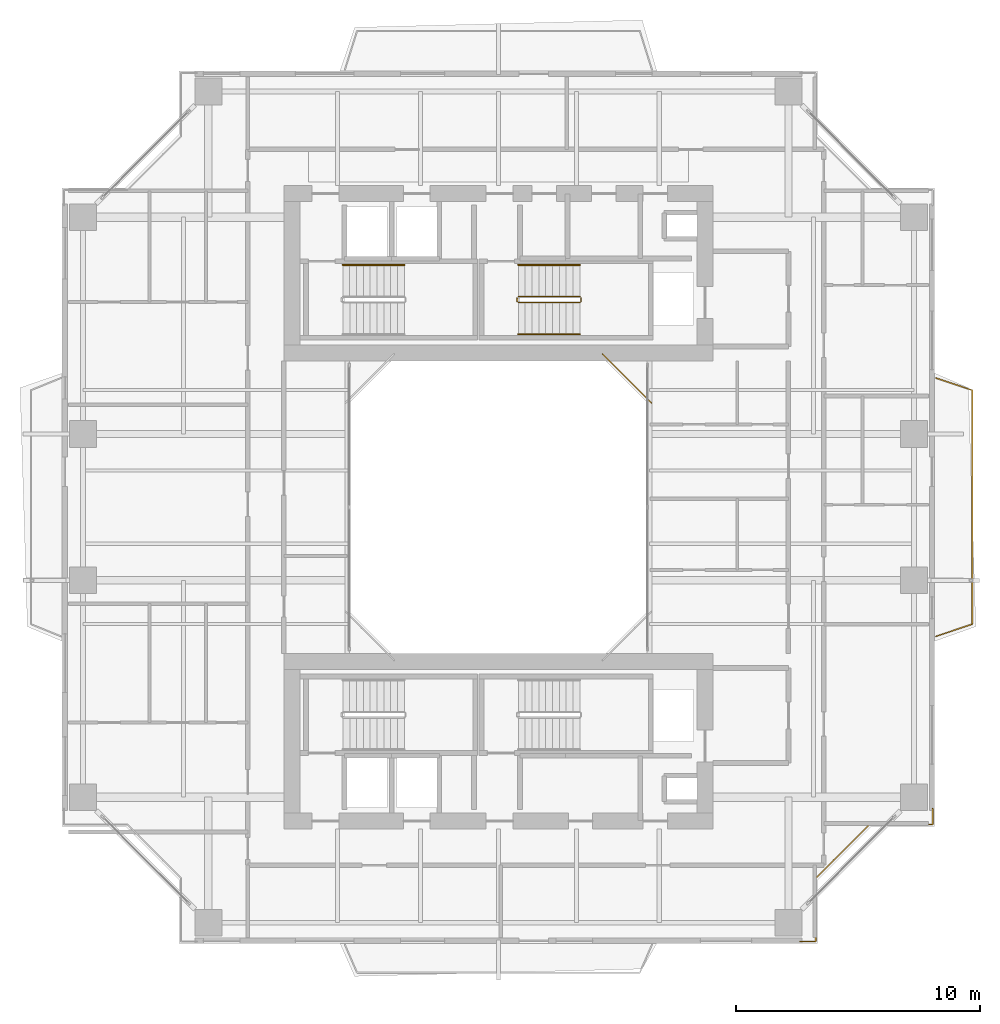
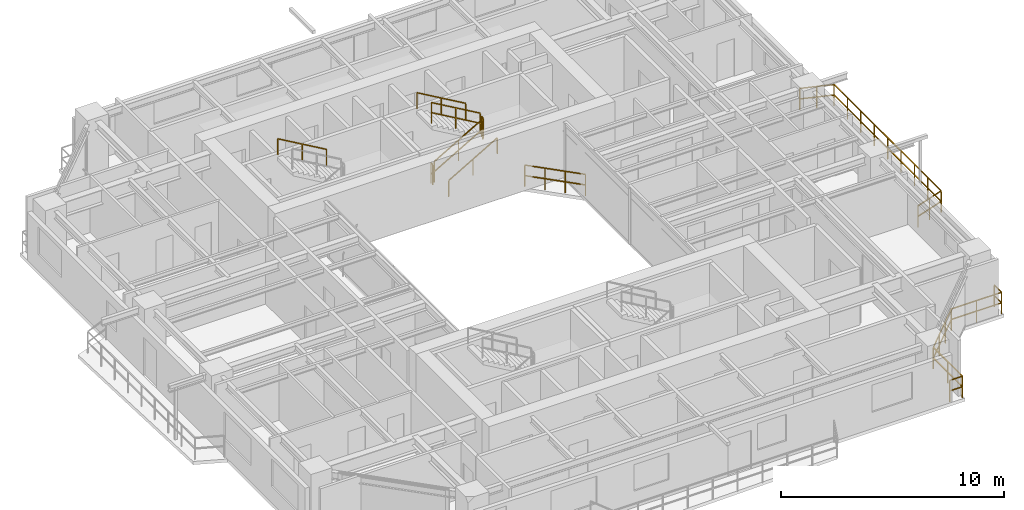
# One storey, part 16 of 17: 10 railings.
"""IFC4 building model written with IfcOpenShell, lengths in metres."""

from ifc_helpers import new_model, si_unit, direction, frame, origin, origin_2d, place, context, subcontext, project, spatial, rectangle, extrude, material, type_object, element, save


model = new_model("IFC4")

# Units and contexts
model_context = context("Model", 3, precision=1e-05, world=origin(), true_north=direction((0.0, 1.0)))
body_context = subcontext(model_context, "Body", "Model", "MODEL_VIEW")
ifc_project = project(units=[si_unit("LENGTHUNIT", "METRE"), si_unit("AREAUNIT", "SQUARE_METRE"), si_unit("VOLUMEUNIT", "CUBIC_METRE"), si_unit("PLANEANGLEUNIT", "RADIAN"), si_unit("MASSUNIT", "GRAM", prefix="KILO"), si_unit("THERMODYNAMICTEMPERATUREUNIT", "KELVIN"), si_unit("POWERUNIT", "WATT")], contexts=[model_context])

# Site, building, storey
site_placement = place(None, origin())
site = spatial("IfcSite", under=ifc_project, at=site_placement, CompositionType="ELEMENT")
building_placement = place(site_placement, origin())
building = spatial("IfcBuilding", under=site, at=building_placement, Name="Qiaomeng Ring Towers", CompositionType="ELEMENT")
storey_placement = place(building_placement, frame((0.0, 0.0, 126.25)))
storey = spatial("IfcBuildingStorey", under=building, at=storey_placement, Name="L36", CompositionType="ELEMENT", Elevation=126.25)

# Railings
ifc_material_1 = material(Name="Low-E pale-green laminated safety glass", Category="glass")
railing_type_1 = type_object("IfcRailingType", Name="ARC-RL-BAL1", PredefinedType="BALUSTRADE", material=ifc_material_1)
railing_1_placement = place(storey_placement, frame((25.280029296875, 27.280029296875, 0.0)))
element("IfcRailing", 1, at=railing_1_placement, inside=storey, type_object=railing_type_1, Name="L36 Balustrade ARC-BAL-WELL1-L36-2", PredefinedType="BALUSTRADE", context=body_context, shape_type="SweptSolid", body=[
    extrude(rectangle(XDim=0.048095703125, YDim=0.048095703125, at=origin_2d()), frame((0.0, 0.0, 1.17578125), z_axis=(-0.707106781187, 0.707106781187, 0.0), x_axis=(-0.707106781187, -0.707106781187, 0.0)), (0.0, 0.0, 1.0), 2.828369140625),
    extrude(rectangle(XDim=0.048095703125, YDim=0.048095703125, at=origin_2d()), frame((0.0, 0.0, 0.60009765625), z_axis=(-0.707106781187, 0.707106781187, 0.0), x_axis=(-0.707106781187, -0.707106781187, 0.0)), (0.0, 0.0, 1.0), 2.828369140625),
    extrude(rectangle(XDim=0.0419921875, YDim=0.0419921875, at=origin_2d()), origin(), (0.0, 0.0, 1.0), 1.15185546875),
    extrude(rectangle(XDim=0.0419921875, YDim=0.0419921875, at=origin_2d()), frame((-0.666748046875, 0.666748046875, 0.0)), (0.0, 0.0, 1.0), 1.15185546875),
    extrude(rectangle(XDim=0.0419921875, YDim=0.0419921875, at=origin_2d()), frame((-1.333251953125, 1.333251953125, 0.0)), (0.0, 0.0, 1.0), 1.15185546875),
    extrude(rectangle(XDim=0.0419921875, YDim=0.0419921875, at=origin_2d()), frame((-2.0, 2.0, 0.0)), (0.0, 0.0, 1.0), 1.15185546875),
])
railing_2_placement = place(storey_placement, frame((31.3701171875, 5.179931640625, 0.0)))
element("IfcRailing", 2, at=railing_2_placement, inside=storey, type_object=railing_type_1, Name="L36 Balustrade ARC-BAL-NOTCH1-L36-SE", PredefinedType="BALUSTRADE", context=body_context, shape_type="SweptSolid", body=[
    extrude(rectangle(XDim=0.048095703125, YDim=0.048095703125, at=origin_2d()), frame((0.0, 0.0, 1.17578125), z_axis=(1.0, 0.0, 0.0), x_axis=(0.0, 1.0, 0.0)), (0.0, 0.0, 1.0), 0.64990234375),
    extrude(rectangle(XDim=0.048095703125, YDim=0.048095703125, at=origin_2d()), frame((0.0, 0.0, 0.60009765625), z_axis=(1.0, 0.0, 0.0), x_axis=(0.0, 1.0, 0.0)), (0.0, 0.0, 1.0), 0.64990234375),
    extrude(rectangle(XDim=0.048095703125, YDim=0.048095703125, at=origin_2d()), frame((0.64990234375, 0.0, 1.17578125), z_axis=(0.0, 1.0, 0.0), x_axis=(-1.0, 0.0, 0.0)), (0.0, 0.0, 1.0), 2.60009765625),
    extrude(rectangle(XDim=0.048095703125, YDim=0.048095703125, at=origin_2d()), frame((0.64990234375, 0.0, 0.60009765625), z_axis=(0.0, 1.0, 0.0), x_axis=(-1.0, 0.0, 0.0)), (0.0, 0.0, 1.0), 2.60009765625),
    extrude(rectangle(XDim=0.048095703125, YDim=0.048095703125, at=origin_2d()), frame((0.64990234375, 2.60009765625, 1.17578125), z_axis=(0.707106781187, 0.707106781187, 0.0), x_axis=(-0.707106781187, 0.707106781187, 0.0)), (0.0, 0.0, 1.0), 3.111083984375),
    extrude(rectangle(XDim=0.048095703125, YDim=0.048095703125, at=origin_2d()), frame((0.64990234375, 2.60009765625, 0.60009765625), z_axis=(0.707106781187, 0.707106781187, 0.0), x_axis=(-0.707106781187, 0.707106781187, 0.0)), (0.0, 0.0, 1.0), 3.111083984375),
    extrude(rectangle(XDim=0.048095703125, YDim=0.048095703125, at=origin_2d()), frame((2.849853515625, 4.800048828125, 1.17578125), z_axis=(1.0, 0.0, 0.0), x_axis=(0.0, 1.0, 0.0)), (0.0, 0.0, 1.0), 2.60009765625),
    extrude(rectangle(XDim=0.048095703125, YDim=0.048095703125, at=origin_2d()), frame((2.849853515625, 4.800048828125, 0.60009765625), z_axis=(1.0, 0.0, 0.0), x_axis=(0.0, 1.0, 0.0)), (0.0, 0.0, 1.0), 2.60009765625),
    extrude(rectangle(XDim=0.048095703125, YDim=0.048095703125, at=origin_2d()), frame((5.449951171875, 4.800048828125, 1.17578125), z_axis=(0.0, 1.0, 0.0), x_axis=(-1.0, 0.0, 0.0)), (0.0, 0.0, 1.0), 0.64990234375),
    extrude(rectangle(XDim=0.048095703125, YDim=0.048095703125, at=origin_2d()), frame((5.449951171875, 4.800048828125, 0.60009765625), z_axis=(0.0, 1.0, 0.0), x_axis=(-1.0, 0.0, 0.0)), (0.0, 0.0, 1.0), 0.64990234375),
    extrude(rectangle(XDim=0.0419921875, YDim=0.0419921875, at=origin_2d()), origin(), (0.0, 0.0, 1.0), 1.15185546875),
    extrude(rectangle(XDim=0.0419921875, YDim=0.0419921875, at=origin_2d()), frame((0.64990234375, 0.0, 0.0)), (0.0, 0.0, 1.0), 1.15185546875),
    extrude(rectangle(XDim=0.0419921875, YDim=0.0419921875, at=origin_2d()), frame((0.64990234375, 1.300048828125, 0.0)), (0.0, 0.0, 1.0), 1.15185546875),
    extrude(rectangle(XDim=0.0419921875, YDim=0.0419921875, at=origin_2d()), frame((0.64990234375, 2.60009765625, 0.0)), (0.0, 0.0, 1.0), 1.15185546875),
    extrude(rectangle(XDim=0.0419921875, YDim=0.0419921875, at=origin_2d()), frame((1.38330078125, 3.33349609375, 0.0)), (0.0, 0.0, 1.0), 1.15185546875),
    extrude(rectangle(XDim=0.0419921875, YDim=0.0419921875, at=origin_2d()), frame((2.116455078125, 4.066650390625, 0.0)), (0.0, 0.0, 1.0), 1.15185546875),
    extrude(rectangle(XDim=0.0419921875, YDim=0.0419921875, at=origin_2d()), frame((2.849853515625, 4.800048828125, 0.0)), (0.0, 0.0, 1.0), 1.15185546875),
    extrude(rectangle(XDim=0.0419921875, YDim=0.0419921875, at=origin_2d()), frame((4.14990234375, 4.800048828125, 0.0)), (0.0, 0.0, 1.0), 1.15185546875),
    extrude(rectangle(XDim=0.0419921875, YDim=0.0419921875, at=origin_2d()), frame((5.449951171875, 4.800048828125, 0.0)), (0.0, 0.0, 1.0), 1.15185546875),
    extrude(rectangle(XDim=0.0419921875, YDim=0.0419921875, at=origin_2d()), frame((5.449951171875, 5.449951171875, 0.0)), (0.0, 0.0, 1.0), 1.15185546875),
])
railing_3_placement = place(storey_placement, frame((36.949951171875, 17.699951171875, 0.0)))
element("IfcRailing", 3, at=railing_3_placement, inside=storey, type_object=railing_type_1, Name="L36 Balustrade ARC-BAL-L36-T1-E", PredefinedType="BALUSTRADE", context=body_context, shape_type="SweptSolid", body=[
    extrude(rectangle(XDim=0.048095703125, YDim=0.048095703125, at=origin_2d()), frame((0.0, 0.0, 1.17578125), z_axis=(0.948044476945, 0.318137815629, 0.0), x_axis=(-0.318137815629, 0.948044476945, 0.0)), (0.0, 0.0, 1.0), 1.571533203125),
    extrude(rectangle(XDim=0.048095703125, YDim=0.048095703125, at=origin_2d()), frame((0.0, 0.0, 0.60009765625), z_axis=(0.948044476945, 0.318137815629, 0.0), x_axis=(-0.318137815629, 0.948044476945, 0.0)), (0.0, 0.0, 1.0), 1.571533203125),
    extrude(rectangle(XDim=0.048095703125, YDim=0.048095703125, at=origin_2d()), frame((1.489990234375, 0.5, 1.17578125), z_axis=(0.0, 1.0, 0.0), x_axis=(-1.0, 0.0, 0.0)), (0.0, 0.0, 1.0), 9.60009765625),
    extrude(rectangle(XDim=0.048095703125, YDim=0.048095703125, at=origin_2d()), frame((1.489990234375, 0.5, 0.60009765625), z_axis=(0.0, 1.0, 0.0), x_axis=(-1.0, 0.0, 0.0)), (0.0, 0.0, 1.0), 9.60009765625),
    extrude(rectangle(XDim=0.048095703125, YDim=0.048095703125, at=origin_2d()), frame((1.489990234375, 10.10009765625, 1.17578125), z_axis=(-0.948044476945, 0.318137815629, 0.0), x_axis=(-0.318137815629, -0.948044476945, 0.0)), (0.0, 0.0, 1.0), 1.571533203125),
    extrude(rectangle(XDim=0.048095703125, YDim=0.048095703125, at=origin_2d()), frame((1.489990234375, 10.10009765625, 0.60009765625), z_axis=(-0.948044476945, 0.318137815629, 0.0), x_axis=(-0.318137815629, -0.948044476945, 0.0)), (0.0, 0.0, 1.0), 1.571533203125),
    extrude(rectangle(XDim=0.0419921875, YDim=0.0419921875, at=origin_2d()), origin(), (0.0, 0.0, 1.0), 1.15185546875),
    extrude(rectangle(XDim=0.0419921875, YDim=0.0419921875, at=origin_2d()), frame((0.7451171875, 0.25, 0.0)), (0.0, 0.0, 1.0), 1.15185546875),
    extrude(rectangle(XDim=0.0419921875, YDim=0.0419921875, at=origin_2d()), frame((1.489990234375, 0.5, 0.0)), (0.0, 0.0, 1.0), 1.15185546875),
    extrude(rectangle(XDim=0.0419921875, YDim=0.0419921875, at=origin_2d()), frame((1.489990234375, 1.699951171875, 0.0)), (0.0, 0.0, 1.0), 1.15185546875),
    extrude(rectangle(XDim=0.0419921875, YDim=0.0419921875, at=origin_2d()), frame((1.489990234375, 2.89990234375, 0.0)), (0.0, 0.0, 1.0), 1.15185546875),
    extrude(rectangle(XDim=0.0419921875, YDim=0.0419921875, at=origin_2d()), frame((1.489990234375, 4.10009765625, 0.0)), (0.0, 0.0, 1.0), 1.15185546875),
    extrude(rectangle(XDim=0.0419921875, YDim=0.0419921875, at=origin_2d()), frame((1.489990234375, 5.300048828125, 0.0)), (0.0, 0.0, 1.0), 1.15185546875),
    extrude(rectangle(XDim=0.0419921875, YDim=0.0419921875, at=origin_2d()), frame((1.489990234375, 6.5, 0.0)), (0.0, 0.0, 1.0), 1.15185546875),
    extrude(rectangle(XDim=0.0419921875, YDim=0.0419921875, at=origin_2d()), frame((1.489990234375, 7.7001953125, 0.0)), (0.0, 0.0, 1.0), 1.15185546875),
    extrude(rectangle(XDim=0.0419921875, YDim=0.0419921875, at=origin_2d()), frame((1.489990234375, 8.900146484375, 0.0)), (0.0, 0.0, 1.0), 1.15185546875),
    extrude(rectangle(XDim=0.0419921875, YDim=0.0419921875, at=origin_2d()), frame((1.489990234375, 10.10009765625, 0.0)), (0.0, 0.0, 1.0), 1.15185546875),
    extrude(rectangle(XDim=0.0419921875, YDim=0.0419921875, at=origin_2d()), frame((0.7451171875, 10.35009765625, 0.0)), (0.0, 0.0, 1.0), 1.15185546875),
    extrude(rectangle(XDim=0.0419921875, YDim=0.0419921875, at=origin_2d()), frame((0.0, 10.60009765625, 0.0)), (0.0, 0.0, 1.0), 1.15185546875),
])
ifc_material_2 = material(Name="Galvanised steel", Category="steel")
railing_type_2 = type_object("IfcRailingType", Name="ARC-RL-GUARD", PredefinedType="GUARDRAIL", material=ifc_material_2)
railing_4_placement = place(storey_placement, frame((19.820068359375, 31.39990234375, 0.16259765625)))
element("IfcRailing", 4, at=railing_4_placement, inside=storey, type_object=railing_type_2, Name="L36 ST2 stair guard 1", PredefinedType="GUARDRAIL", context=body_context, shape_type="SweptSolid", body=[
    extrude(rectangle(XDim=0.048095703125, YDim=0.048095703125, at=origin_2d()), frame((0.0, 0.0, 1.1259765625), z_axis=(0.864913338283, 0.0, 0.50192122615), x_axis=(0.0, 1.0, 0.0)), (0.0, 0.0, 1.0), 2.91357421875),
    extrude(rectangle(XDim=0.048095703125, YDim=0.048095703125, at=origin_2d()), frame((0.0, 0.0, 0.574951171875), z_axis=(0.864913338283, 0.0, 0.50192122615), x_axis=(0.0, 1.0, 0.0)), (0.0, 0.0, 1.0), 2.91357421875),
    extrude(rectangle(XDim=0.0419921875, YDim=0.0419921875, at=origin_2d()), origin(), (0.0, 0.0, 1.0), 1.101806640625),
    extrude(rectangle(XDim=0.0419921875, YDim=0.0419921875, at=origin_2d()), frame((1.260009765625, 0.0, 0.731201171875)), (0.0, 0.0, 1.0), 1.101806640625),
    extrude(rectangle(XDim=0.0419921875, YDim=0.0419921875, at=origin_2d()), frame((2.52001953125, 0.0, 1.46240234375)), (0.0, 0.0, 1.0), 1.101806640625),
])
railing_5_placement = place(storey_placement, frame((22.389892578125, 31.449951171875, 1.625)))
element("IfcRailing", 5, at=railing_5_placement, inside=storey, type_object=railing_type_2, Name="L36 ST2 stair guard 2", PredefinedType="GUARDRAIL", context=body_context, shape_type="SweptSolid", body=[
    extrude(rectangle(XDim=0.048095703125, YDim=0.048095703125, at=origin_2d()), frame((0.0, 0.0, 1.1259765625), z_axis=(0.0, 1.0, 0.0), x_axis=(-1.0, 0.0, 0.0)), (0.0, 0.0, 1.0), 0.14013671875),
    extrude(rectangle(XDim=0.048095703125, YDim=0.048095703125, at=origin_2d()), frame((0.0, 0.0, 0.574951171875), z_axis=(0.0, 1.0, 0.0), x_axis=(-1.0, 0.0, 0.0)), (0.0, 0.0, 1.0), 0.14013671875),
    extrude(rectangle(XDim=0.0419921875, YDim=0.0419921875, at=origin_2d()), origin(), (0.0, 0.0, 1.0), 1.101806640625),
    extrude(rectangle(XDim=0.0419921875, YDim=0.0419921875, at=origin_2d()), frame((0.0, 0.14013671875, 0.0)), (0.0, 0.0, 1.0), 1.101806640625),
])
railing_6_placement = place(storey_placement, frame((22.340087890625, 31.639892578125, 1.78759765625)))
element("IfcRailing", 6, at=railing_6_placement, inside=storey, type_object=railing_type_2, Name="L36 ST2 stair guard 3", PredefinedType="GUARDRAIL", context=body_context, shape_type="SweptSolid", body=[
    extrude(rectangle(XDim=0.048095703125, YDim=0.048095703125, at=origin_2d()), frame((0.0, 0.0, 1.1259765625), z_axis=(-0.864913338283, 0.0, 0.50192122615), x_axis=(0.0, -1.0, 0.0)), (0.0, 0.0, 1.0), 2.91357421875),
    extrude(rectangle(XDim=0.048095703125, YDim=0.048095703125, at=origin_2d()), frame((0.0, 0.0, 0.574951171875), z_axis=(-0.864913338283, 0.0, 0.50192122615), x_axis=(0.0, -1.0, 0.0)), (0.0, 0.0, 1.0), 2.91357421875),
    extrude(rectangle(XDim=0.0419921875, YDim=0.0419921875, at=origin_2d()), origin(), (0.0, 0.0, 1.0), 1.101806640625),
    extrude(rectangle(XDim=0.0419921875, YDim=0.0419921875, at=origin_2d()), frame((-1.260009765625, 0.0, 0.731201171875)), (0.0, 0.0, 1.0), 1.101806640625),
    extrude(rectangle(XDim=0.0419921875, YDim=0.0419921875, at=origin_2d()), frame((-2.52001953125, 0.0, 1.46240234375)), (0.0, 0.0, 1.0), 1.101806640625),
])
railing_7_placement = place(storey_placement, frame((19.77001953125, 31.449951171875, 0.0)))
element("IfcRailing", 7, at=railing_7_placement, inside=storey, type_object=railing_type_2, Name="L36 ST2 stair guard 4", PredefinedType="GUARDRAIL", context=body_context, shape_type="SweptSolid", body=[
    extrude(rectangle(XDim=0.048095703125, YDim=0.048095703125, at=origin_2d()), frame((0.0, 0.0, 1.1259765625), z_axis=(0.0, 1.0, 0.0), x_axis=(-1.0, 0.0, 0.0)), (0.0, 0.0, 1.0), 0.14013671875),
    extrude(rectangle(XDim=0.048095703125, YDim=0.048095703125, at=origin_2d()), frame((0.0, 0.0, 0.574951171875), z_axis=(0.0, 1.0, 0.0), x_axis=(-1.0, 0.0, 0.0)), (0.0, 0.0, 1.0), 0.14013671875),
    extrude(rectangle(XDim=0.0419921875, YDim=0.0419921875, at=origin_2d()), origin(), (0.0, 0.0, 1.0), 1.101806640625),
    extrude(rectangle(XDim=0.0419921875, YDim=0.0419921875, at=origin_2d()), frame((0.0, 0.14013671875, 0.0)), (0.0, 0.0, 1.0), 1.101806640625),
])
ifc_material_3 = material(Name="Stainless steel 316", Category="steel")
railing_type_3 = type_object("IfcRailingType", Name="ARC-RL-HAND", PredefinedType="HANDRAIL", material=ifc_material_3)
railing_8_placement = place(storey_placement, frame((15.139892578125, 32.93994140625, 1.78759765625)))
element("IfcRailing", 8, at=railing_8_placement, inside=storey, type_object=railing_type_3, Name="L36 ST1 stair handrail 2", PredefinedType="HANDRAIL", context=body_context, shape_type="SweptSolid", body=[
    extrude(rectangle(XDim=0.048095703125, YDim=0.048095703125, at=origin_2d()), frame((0.0, 0.0, 0.8759765625), z_axis=(-0.864892226395, 0.0, 0.501957604506), x_axis=(0.0, -1.0, 0.0)), (0.0, 0.0, 1.0), 2.913330078125),
    extrude(rectangle(XDim=0.0419921875, YDim=0.0419921875, at=origin_2d()), origin(), (0.0, 0.0, 1.0), 0.851806640625),
    extrude(rectangle(XDim=0.0419921875, YDim=0.0419921875, at=origin_2d()), frame((-1.259765625, 0.0, 0.731201171875)), (0.0, 0.0, 1.0), 0.851806640625),
    extrude(rectangle(XDim=0.0419921875, YDim=0.0419921875, at=origin_2d()), frame((-2.519775390625, 0.0, 1.46240234375)), (0.0, 0.0, 1.0), 0.851806640625),
])
railing_9_placement = place(storey_placement, frame((19.820068359375, 30.10009765625, 0.16259765625)))
element("IfcRailing", 9, at=railing_9_placement, inside=storey, type_object=railing_type_3, Name="L36 ST2 stair handrail 1", PredefinedType="HANDRAIL", context=body_context, shape_type="SweptSolid", body=[
    extrude(rectangle(XDim=0.048095703125, YDim=0.048095703125, at=origin_2d()), frame((0.0, 0.0, 0.8759765625), z_axis=(0.864913338283, 0.0, 0.50192122615), x_axis=(0.0, 1.0, 0.0)), (0.0, 0.0, 1.0), 2.91357421875),
    extrude(rectangle(XDim=0.0419921875, YDim=0.0419921875, at=origin_2d()), origin(), (0.0, 0.0, 1.0), 0.851806640625),
    extrude(rectangle(XDim=0.0419921875, YDim=0.0419921875, at=origin_2d()), frame((1.260009765625, 0.0, 0.731201171875)), (0.0, 0.0, 1.0), 0.851806640625),
    extrude(rectangle(XDim=0.0419921875, YDim=0.0419921875, at=origin_2d()), frame((2.52001953125, 0.0, 1.46240234375)), (0.0, 0.0, 1.0), 0.851806640625),
])
railing_10_placement = place(storey_placement, frame((22.340087890625, 32.93994140625, 1.78759765625)))
element("IfcRailing", 10, at=railing_10_placement, inside=storey, type_object=railing_type_3, Name="L36 ST2 stair handrail 2", PredefinedType="HANDRAIL", context=body_context, shape_type="SweptSolid", body=[
    extrude(rectangle(XDim=0.048095703125, YDim=0.048095703125, at=origin_2d()), frame((0.0, 0.0, 0.8759765625), z_axis=(-0.864913338283, 0.0, 0.50192122615), x_axis=(0.0, -1.0, 0.0)), (0.0, 0.0, 1.0), 2.91357421875),
    extrude(rectangle(XDim=0.0419921875, YDim=0.0419921875, at=origin_2d()), origin(), (0.0, 0.0, 1.0), 0.851806640625),
    extrude(rectangle(XDim=0.0419921875, YDim=0.0419921875, at=origin_2d()), frame((-1.260009765625, 0.0, 0.731201171875)), (0.0, 0.0, 1.0), 0.851806640625),
    extrude(rectangle(XDim=0.0419921875, YDim=0.0419921875, at=origin_2d()), frame((-2.52001953125, 0.0, 1.46240234375)), (0.0, 0.0, 1.0), 0.851806640625),
])

save(model, "model.ifc")
